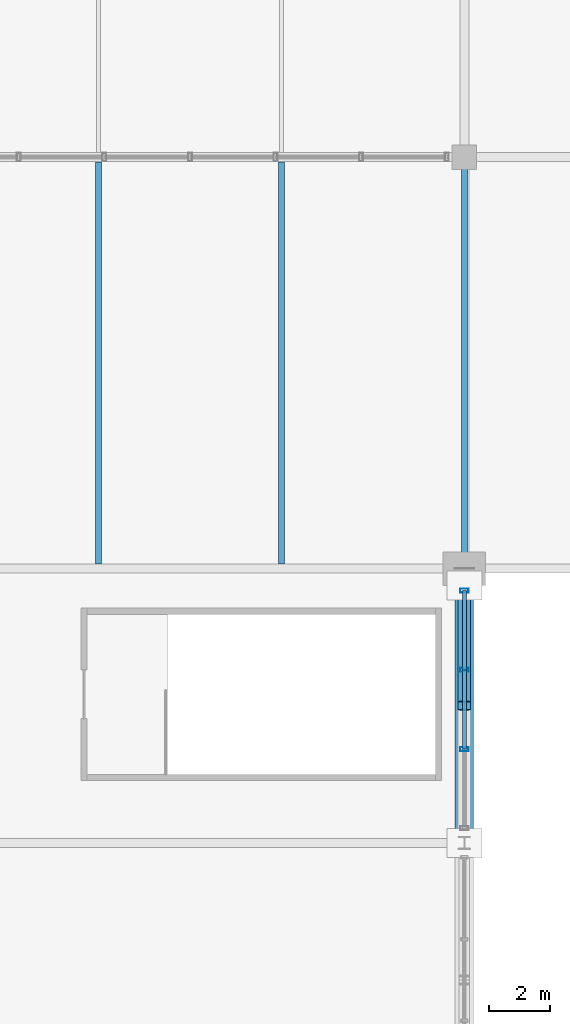
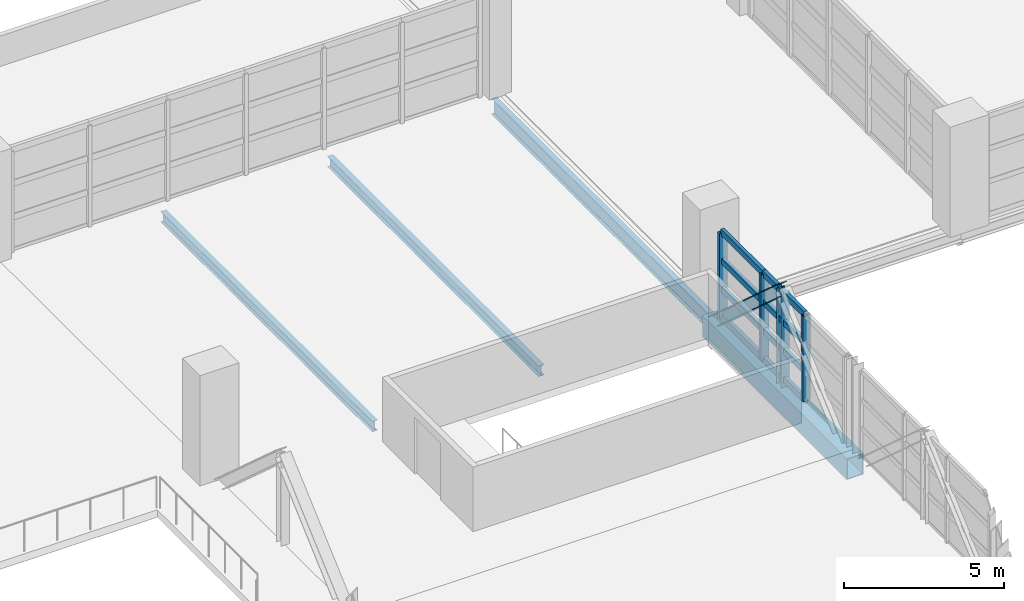
# One storey, part 51 of 136: 13 members, 4 beams, 1 element without a shape of its own.
"""IFC4 building model written with IfcOpenShell, lengths in metres."""

from ifc_helpers import new_model, si_unit, direction, frame, origin, origin_2d, place, context, subcontext, project, spatial, hollow_rectangle, i_section, extrude, material, material_profile, profile_set, type_object, element, aggregate, save


model = new_model("IFC4")

# Units and contexts
model_context = context("Model", 3, precision=1e-05, world=origin(), true_north=direction((0.0, 1.0)))
body_context = subcontext(model_context, "Body", "Model", "MODEL_VIEW")
ifc_project = project(units=[si_unit("LENGTHUNIT", "METRE"), si_unit("AREAUNIT", "SQUARE_METRE"), si_unit("VOLUMEUNIT", "CUBIC_METRE"), si_unit("PLANEANGLEUNIT", "RADIAN"), si_unit("MASSUNIT", "GRAM", prefix="KILO")], contexts=[model_context])

# Site, building, storey
site_placement = place(None, origin())
site = spatial("IfcSite", under=ifc_project, at=site_placement, CompositionType="ELEMENT")
building_placement = place(site_placement, origin())
building = spatial("IfcBuilding", under=site, at=building_placement, Name="Chuanluo Vaults Station", CompositionType="ELEMENT")
storey_placement = place(building_placement, frame((0.0, 0.0, 6.60009765625)))
storey = spatial("IfcBuildingStorey", under=building, at=storey_placement, Name="L01", CompositionType="ELEMENT", Elevation=6.60009765625)

# Beams
ifc_material_1 = material(Name="Steel Q355C", Category="steel")
ifc_material_profile_1 = material_profile(ifc_material_1, i_section(OverallWidth=0.199951171875, OverallDepth=0.60009765625, WebThickness=0.010986328125, FlangeThickness=0.01708984375, FilletRadius=0.01806640625, at=origin_2d()))
ifc_profile_set_1 = profile_set([ifc_material_profile_1], Name="Steel Q355C")
beam_type_1 = type_object("IfcBeamType", Name="BM-GRD-600", PredefinedType="USERDEFINED", material=ifc_profile_set_1)
beam_1_placement = place(storey_placement, frame((108.0, 103.5, -0.580078125), z_axis=(0.0, 1.0, 0.0), x_axis=(-1.0, 0.0, 0.0)))
element("IfcBeam", 1, at=beam_1_placement, inside=storey, type_object=beam_type_1, Name="Floor girder BM:GY:L01:0448", ObjectType="GIRDER", PredefinedType="USERDEFINED", context=body_context, shape_type="SweptSolid", body=[
    extrude(i_section(OverallWidth=0.199951171875, OverallDepth=0.60009765625, WebThickness=0.010986328125, FlangeThickness=0.01708984375, FilletRadius=0.01806640625, at=origin_2d()), origin(), (0.0, 0.0, 1.0), 13.5),
])
ifc_material_2 = material(Name="Steel Q355C", Category="steel")
ifc_material_profile_2 = material_profile(ifc_material_2, i_section(OverallWidth=0.199951171875, OverallDepth=0.39990234375, WebThickness=0.008056640625, FlangeThickness=0.012939453125, FilletRadius=0.01611328125, at=origin_2d()))
ifc_profile_set_2 = profile_set([ifc_material_profile_2], Name="Steel Q355C")
beam_type_2 = type_object("IfcBeamType", Name="BM-SEC-400", PredefinedType="BEAM", material=ifc_profile_set_2)
for number, where, z_axis, x_axis, name in (
    (2, (96.0, 103.655029296875, -0.47998046875), (0.0, 1.0, 0.0), (-1.0, 0.0, 0.0), "Composite secondary joist 0137"),
    (3, (102.0, 103.655029296875, -0.47998046875), (0.0, 1.0, 0.0), (-1.0, 0.0, 0.0), "Composite secondary joist 0138"),
):
    element("IfcBeam", number, at=place(storey_placement, frame(where, z_axis=z_axis, x_axis=x_axis)), inside=storey, type_object=beam_type_2, Name=name, PredefinedType="BEAM", context=body_context, shape_type="SweptSolid", body=[
        extrude(i_section(OverallWidth=0.199951171875, OverallDepth=0.39990234375, WebThickness=0.008056640625, FlangeThickness=0.012939453125, FilletRadius=0.01611328125, at=origin_2d()), origin(), (0.0, 0.0, 1.0), 13.18994140625),
    ])
ifc_material_3 = material(Name="Steel Q390C", Category="steel")
ifc_material_profile_3 = material_profile(ifc_material_3, hollow_rectangle(XDim=0.60009765625, YDim=0.800048828125, WallThickness=0.031982421875, at=origin_2d()))
ifc_profile_set_3 = profile_set([ifc_material_profile_3], Name="Steel Q390C")
beam_type_3 = type_object("IfcBeamType", Name="BM-TT-BOT", PredefinedType="USERDEFINED", material=ifc_profile_set_3)
beam_2_placement = place(storey_placement, frame((108.0, 94.5, -0.68017578125), z_axis=(0.0, 1.0, 0.0), x_axis=(-1.0, 0.0, 0.0)))
element("IfcBeam", 4, at=beam_2_placement, inside=storey, type_object=beam_type_3, Name="Transfer truss TT-7 bottom chord 4", ObjectType="GIRDER", PredefinedType="USERDEFINED", context=body_context, shape_type="SweptSolid", body=[
    extrude(hollow_rectangle(XDim=0.60009765625, YDim=0.800048828125, WallThickness=0.031982421875, at=origin_2d()), origin(), (0.0, 0.0, 1.0), 9.0),
])

# Curtain wall, members
ifc_material_4 = material(Name="Anodised aluminium 6063-T6", Category="aluminium")
curtain_wall_type = type_object("IfcCurtainWallType", Name="CW-SYS-02", PredefinedType="NOTDEFINED", material=ifc_material_4)
curtain_wall_placement = place(storey_placement, origin())
curtain_wall = element("IfcCurtainWall", 5, at=curtain_wall_placement, inside=storey, type_object=curtain_wall_type, Name="Over-track east hall CW 94", PredefinedType="NOTDEFINED")
ifc_material_5 = material(Name="Anodised aluminium 6063-T6", Category="aluminium")
ifc_material_profile_4 = material_profile(ifc_material_5, hollow_rectangle(XDim=0.1298828125, YDim=0.280029296875, WallThickness=0.007080078125, at=origin_2d()))
ifc_profile_set_4 = profile_set([ifc_material_profile_4], Name="Anodised aluminium 6063-T6")
member_type_1 = type_object("IfcMemberType", Name="CWM-180", PredefinedType="MULLION", material=ifc_profile_set_4)
member_1_placement = place(storey_placement, frame((108.0, 102.77490234375, 0.0), z_axis=(0.0, 0.0, 1.0), x_axis=(0.0, -1.0, 0.0)))
member_1 = element("IfcMember", 6, at=member_1_placement, type_object=member_type_1, Name="Over-track east hall CW 94 mullion 1", PredefinedType="MULLION", context=body_context, shape_type="SweptSolid", body=[
    extrude(hollow_rectangle(XDim=0.1298828125, YDim=0.280029296875, WallThickness=0.007080078125, at=origin_2d()), origin(), (0.0, 0.0, 1.0), 3.25),
])
member_2_placement = place(storey_placement, frame((108.0, 100.175048828125, 0.0), z_axis=(0.0, 0.0, 1.0), x_axis=(0.0, -1.0, 0.0)))
member_2 = element("IfcMember", 7, at=member_2_placement, type_object=member_type_1, Name="Over-track east hall CW 94 mullion 2", PredefinedType="MULLION", context=body_context, shape_type="SweptSolid", body=[
    extrude(hollow_rectangle(XDim=0.1298828125, YDim=0.280029296875, WallThickness=0.007080078125, at=origin_2d()), origin(), (0.0, 0.0, 1.0), 3.25),
])
member_3_placement = place(storey_placement, frame((108.0, 97.574951171875, 0.0), z_axis=(0.0, 0.0, 1.0), x_axis=(0.0, -1.0, 0.0)))
member_3 = element("IfcMember", 8, at=member_3_placement, type_object=member_type_1, Name="Over-track east hall CW 94 mullion 3", PredefinedType="MULLION", context=body_context, shape_type="SweptSolid", body=[
    extrude(hollow_rectangle(XDim=0.1298828125, YDim=0.280029296875, WallThickness=0.007080078125, at=origin_2d()), origin(), (0.0, 0.0, 1.0), 3.25),
])
ifc_material_6 = material(Name="Anodised aluminium 6063-T6", Category="aluminium")
ifc_material_profile_5 = material_profile(ifc_material_6, hollow_rectangle(XDim=0.1298828125, YDim=0.22998046875, WallThickness=0.006103515625, at=origin_2d()))
ifc_profile_set_5 = profile_set([ifc_material_profile_5], Name="Anodised aluminium 6063-T6")
member_type_2 = type_object("IfcMemberType", Name="CWT-150", PredefinedType="USERDEFINED", material=ifc_profile_set_5)
member_4_placement = place(storey_placement, frame((108.0, 102.77490234375, 0.0), z_axis=(0.0, -1.0, 0.0), x_axis=(1.0, 0.0, 0.0)))
member_4 = element("IfcMember", 9, at=member_4_placement, type_object=member_type_2, Name="Over-track east hall CW 94 transom 1.1", ObjectType="TRANSOM", PredefinedType="USERDEFINED", context=body_context, shape_type="SweptSolid", body=[
    extrude(hollow_rectangle(XDim=0.1298828125, YDim=0.22998046875, WallThickness=0.006103515625, at=origin_2d()), origin(), (0.0, 0.0, 1.0), 2.599853515625),
])
member_5_placement = place(storey_placement, frame((108.0, 102.77490234375, 1.083251953125), z_axis=(0.0, -1.0, 0.0), x_axis=(1.0, 0.0, 0.0)))
member_5 = element("IfcMember", 10, at=member_5_placement, type_object=member_type_2, Name="Over-track east hall CW 94 transom 1.2", ObjectType="TRANSOM", PredefinedType="USERDEFINED", context=body_context, shape_type="SweptSolid", body=[
    extrude(hollow_rectangle(XDim=0.1298828125, YDim=0.22998046875, WallThickness=0.006103515625, at=origin_2d()), origin(), (0.0, 0.0, 1.0), 2.599853515625),
])
member_6_placement = place(storey_placement, frame((108.0, 102.77490234375, 2.16650390625), z_axis=(0.0, -1.0, 0.0), x_axis=(1.0, 0.0, 0.0)))
member_6 = element("IfcMember", 11, at=member_6_placement, type_object=member_type_2, Name="Over-track east hall CW 94 transom 1.3", ObjectType="TRANSOM", PredefinedType="USERDEFINED", context=body_context, shape_type="SweptSolid", body=[
    extrude(hollow_rectangle(XDim=0.1298828125, YDim=0.22998046875, WallThickness=0.006103515625, at=origin_2d()), origin(), (0.0, 0.0, 1.0), 2.599853515625),
])
member_7_placement = place(storey_placement, frame((108.0, 102.77490234375, 3.25), z_axis=(0.0, -1.0, 0.0), x_axis=(1.0, 0.0, 0.0)))
member_7 = element("IfcMember", 12, at=member_7_placement, type_object=member_type_2, Name="Over-track east hall CW 94 transom 1.4", ObjectType="TRANSOM", PredefinedType="USERDEFINED", context=body_context, shape_type="SweptSolid", body=[
    extrude(hollow_rectangle(XDim=0.1298828125, YDim=0.22998046875, WallThickness=0.006103515625, at=origin_2d()), origin(), (0.0, 0.0, 1.0), 2.599853515625),
])
member_8_placement = place(storey_placement, frame((108.0, 100.175048828125, 0.0), z_axis=(0.0, -1.0, 0.0), x_axis=(1.0, 0.0, 0.0)))
member_8 = element("IfcMember", 13, at=member_8_placement, type_object=member_type_2, Name="Over-track east hall CW 94 transom 2.1", ObjectType="TRANSOM", PredefinedType="USERDEFINED", context=body_context, shape_type="SweptSolid", body=[
    extrude(hollow_rectangle(XDim=0.1298828125, YDim=0.22998046875, WallThickness=0.006103515625, at=origin_2d()), origin(), (0.0, 0.0, 1.0), 2.60009765625),
])
member_9_placement = place(storey_placement, frame((108.0, 100.175048828125, 1.083251953125), z_axis=(0.0, -1.0, 0.0), x_axis=(1.0, 0.0, 0.0)))
member_9 = element("IfcMember", 14, at=member_9_placement, type_object=member_type_2, Name="Over-track east hall CW 94 transom 2.2", ObjectType="TRANSOM", PredefinedType="USERDEFINED", context=body_context, shape_type="SweptSolid", body=[
    extrude(hollow_rectangle(XDim=0.1298828125, YDim=0.22998046875, WallThickness=0.006103515625, at=origin_2d()), origin(), (0.0, 0.0, 1.0), 2.60009765625),
])
member_10_placement = place(storey_placement, frame((108.0, 100.175048828125, 2.16650390625), z_axis=(0.0, -1.0, 0.0), x_axis=(1.0, 0.0, 0.0)))
member_10 = element("IfcMember", 15, at=member_10_placement, type_object=member_type_2, Name="Over-track east hall CW 94 transom 2.3", ObjectType="TRANSOM", PredefinedType="USERDEFINED", context=body_context, shape_type="SweptSolid", body=[
    extrude(hollow_rectangle(XDim=0.1298828125, YDim=0.22998046875, WallThickness=0.006103515625, at=origin_2d()), origin(), (0.0, 0.0, 1.0), 2.60009765625),
])
member_11_placement = place(storey_placement, frame((108.0, 100.175048828125, 3.25), z_axis=(0.0, -1.0, 0.0), x_axis=(1.0, 0.0, 0.0)))
member_11 = element("IfcMember", 16, at=member_11_placement, type_object=member_type_2, Name="Over-track east hall CW 94 transom 2.4", ObjectType="TRANSOM", PredefinedType="USERDEFINED", context=body_context, shape_type="SweptSolid", body=[
    extrude(hollow_rectangle(XDim=0.1298828125, YDim=0.22998046875, WallThickness=0.006103515625, at=origin_2d()), origin(), (0.0, 0.0, 1.0), 2.60009765625),
])
aggregate(curtain_wall, [member_1, member_2, member_3, member_4, member_5, member_6, member_7, member_8, member_9, member_10, member_11])

# Members
ifc_material_7 = material(Name="Steel Q390C", Category="steel")
ifc_material_profile_6 = material_profile(ifc_material_7, i_section(OverallWidth=0.39990234375, OverallDepth=0.407958984375, WebThickness=0.02099609375, FlangeThickness=0.02099609375, FilletRadius=0.02197265625, at=origin_2d()))
ifc_profile_set_6 = profile_set([ifc_material_profile_6], Name="Steel Q390C")
member_type_3 = type_object("IfcMemberType", Name="MEM-DIAG-408", PredefinedType="BRACE", material=ifc_profile_set_6)
member_12_placement = place(storey_placement, frame((108.0, 99.0, 3.349853515625), z_axis=(0.0, 0.744935757439, -0.667136205949), x_axis=(-1.0, 0.0, 0.0)))
element("IfcMember", 17, at=member_12_placement, inside=storey, type_object=member_type_3, Name="Transfer truss TT-7 diagonal 4B", PredefinedType="BRACE", context=body_context, shape_type="SweptSolid", body=[
    extrude(i_section(OverallWidth=0.39990234375, OverallDepth=0.407958984375, WebThickness=0.02099609375, FlangeThickness=0.02099609375, FilletRadius=0.02197265625, at=origin_2d()), origin(), (0.0, 0.0, 1.0), 6.040771484375),
])
ifc_material_8 = material(Name="Steel Q390C", Category="steel")
ifc_material_profile_7 = material_profile(ifc_material_8, i_section(OverallWidth=0.300048828125, OverallDepth=0.300048828125, WebThickness=0.010009765625, FlangeThickness=0.014892578125, FilletRadius=0.01806640625, at=origin_2d()))
ifc_profile_set_7 = profile_set([ifc_material_profile_7], Name="Steel Q390C")
member_type_4 = type_object("IfcMemberType", Name="MEM-VERT-300", PredefinedType="POST", material=ifc_profile_set_7)
member_13_placement = place(storey_placement, frame((108.0, 99.0, -0.68017578125), z_axis=(0.0, 0.0, 1.0), x_axis=(1.0, 0.0, 0.0)))
element("IfcMember", 18, at=member_13_placement, inside=storey, type_object=member_type_4, Name="Transfer truss TT-7 mid-panel hanger 4", PredefinedType="POST", context=body_context, shape_type="SweptSolid", body=[
    extrude(i_section(OverallWidth=0.300048828125, OverallDepth=0.300048828125, WebThickness=0.010009765625, FlangeThickness=0.014892578125, FilletRadius=0.01806640625, at=origin_2d()), origin(), (0.0, 0.0, 1.0), 4.030029296875),
])

save(model, "model.ifc")
